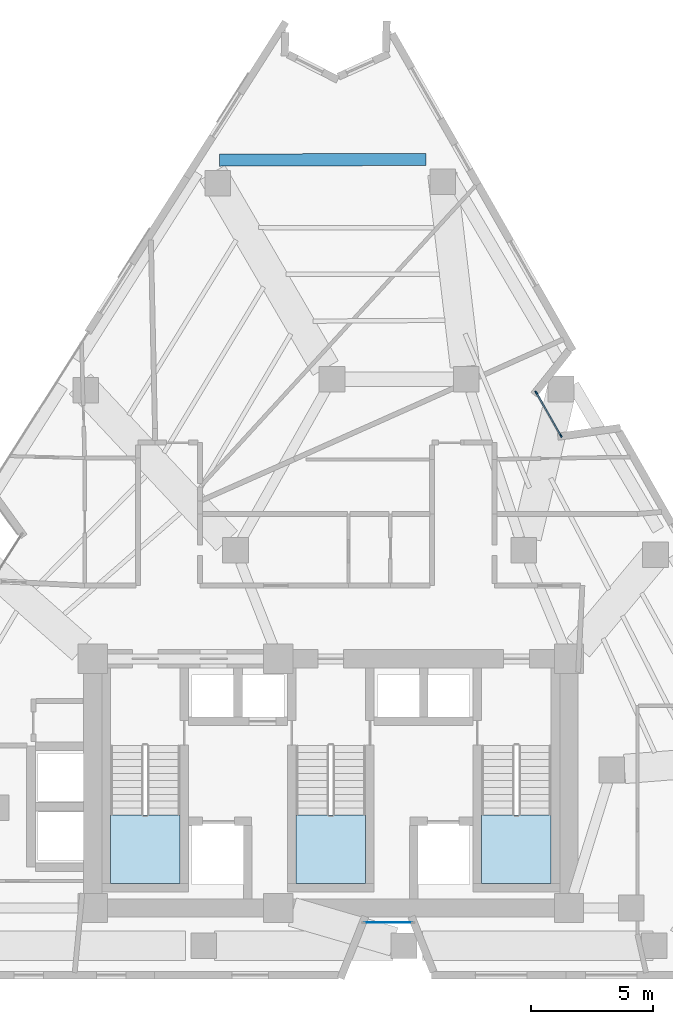
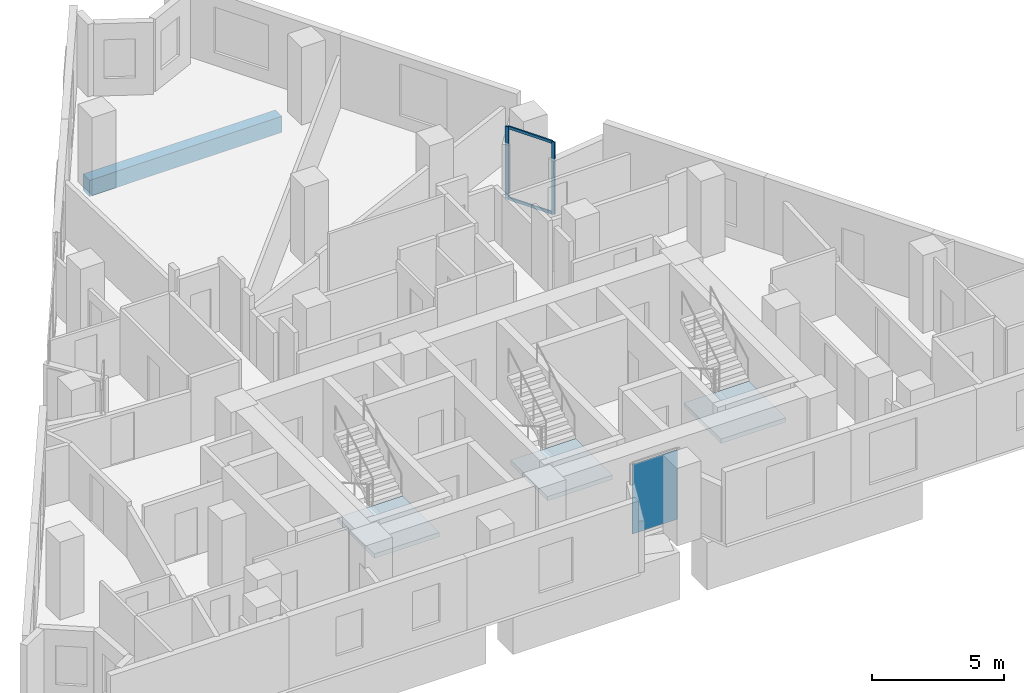
# One storey, part 4 of 12: 4 members, 3 slabs, 1 beam, 1 plate, 5 elements without a shape of their own.
"""IFC4 building model written with IfcOpenShell, lengths in metres."""

from ifc_helpers import new_model, si_unit, direction, frame, origin, origin_2d, place, context, subcontext, project, spatial, polyline, rectangle, outline, extrude, material, layer, layer_set, material_profile, profile_set, type_object, element, aggregate, save


model = new_model("IFC4")

# Units and contexts
model_context = context("Model", 3, precision=1e-05, world=origin(), true_north=direction((0.0, 1.0)))
body_context = subcontext(model_context, "Body", "Model", "MODEL_VIEW")
ifc_project = project(units=[si_unit("LENGTHUNIT", "METRE"), si_unit("AREAUNIT", "SQUARE_METRE"), si_unit("VOLUMEUNIT", "CUBIC_METRE"), si_unit("PLANEANGLEUNIT", "RADIAN"), si_unit("MASSUNIT", "GRAM", prefix="KILO")], contexts=[model_context])

# Site, building, storey
site_placement = place(None, origin())
site = spatial("IfcSite", under=ifc_project, at=site_placement, CompositionType="ELEMENT")
building_placement = place(site_placement, origin())
building = spatial("IfcBuilding", under=site, at=building_placement, Name="Almagre Mirador Tower", CompositionType="ELEMENT")
storey_placement = place(building_placement, frame((0.0, 0.0, 132.0)))
storey = spatial("IfcBuildingStorey", under=building, at=storey_placement, Name="L33", CompositionType="ELEMENT", Elevation=132.0)

# Beam
ifc_material_1 = material(Name="Precast concrete C50/60", Category="concrete")
ifc_material_profile_1 = material_profile(ifc_material_1, rectangle(XDim=0.5, YDim=0.75, at=origin_2d()), Name="RC500X750")
ifc_profile_set_1 = profile_set([ifc_material_profile_1], Name="Precast concrete C50/60")
beam_type = type_object("IfcBeamType", Name="BM-SPN-RC500X750", PredefinedType="SPANDREL", material=ifc_profile_set_1)
beam_placement = place(storey_placement, frame((41.197021484375, 35.197998046875, -0.625), z_axis=(-0.999993795162, -0.003522731665, 0.0), x_axis=(0.003522731665, -0.999993795162, 0.0)))
element("IfcBeam", 1, at=beam_placement, inside=storey, type_object=beam_type, Name="L33 perimeter spandrel beam PC08-PC09", PredefinedType="SPANDREL", context=body_context, shape_type="SweptSolid", body=[
    extrude(rectangle(XDim=0.5, YDim=0.75, at=origin_2d()), origin(), (0.0, 0.0, 1.0), 8.455078125),
])

# Curtain wall, members
ifc_material_2 = material(Name="Black anodized aluminium", Category="aluminium")
ifc_layer_1 = layer(ifc_material_2, 0.169921875)
ifc_layer_set_1 = layer_set([ifc_layer_1], Name="Black anodized aluminium")
curtain_wall_type = type_object("IfcCurtainWallType", Name="CW-CRS-SYS", PredefinedType="NOTDEFINED", material=ifc_layer_set_1)
curtain_wall_1_placement = place(storey_placement, origin())
curtain_wall_1 = element("IfcCurtainWall", 2, at=curtain_wall_1_placement, inside=storey, type_object=curtain_wall_type, Name="L33 vertical crease curtain wall 03", PredefinedType="NOTDEFINED")
ifc_material_3 = material(Name="Black anodized aluminium", Category="aluminium")
ifc_material_profile_2 = material_profile(ifc_material_3, rectangle(XDim=0.06005859375, YDim=0.14990234375, at=origin_2d()), Name="CWM60X150")
ifc_profile_set_2 = profile_set([ifc_material_profile_2], Name="Black anodized aluminium")
member_type_1 = type_object("IfcMemberType", Name="MBR-CWM60X150", PredefinedType="MULLION", material=ifc_profile_set_2)
member_1_placement = place(storey_placement, frame((45.7109375, 25.65185546875, 0.0), z_axis=(0.0, 0.0, 1.0), x_axis=(0.868478613785, 0.495726635757, 0.0)))
member_1 = element("IfcMember", 3, at=member_1_placement, type_object=member_type_1, Name="CW-4 mullion 1", PredefinedType="MULLION", context=body_context, shape_type="SweptSolid", body=[
    extrude(rectangle(XDim=0.06005859375, YDim=0.14990234375, at=origin_2d()), origin(), (0.0, 0.0, 1.0), 3.35009765625),
])
member_2_placement = place(storey_placement, frame((46.717041015625, 23.88916015625, 0.0), z_axis=(0.0, 0.0, 1.0), x_axis=(0.868478613785, 0.495726635757, 0.0)))
member_2 = element("IfcMember", 4, at=member_2_placement, type_object=member_type_1, Name="CW-4 mullion 2", PredefinedType="MULLION", context=body_context, shape_type="SweptSolid", body=[
    extrude(rectangle(XDim=0.06005859375, YDim=0.14990234375, at=origin_2d()), origin(), (0.0, 0.0, 1.0), 3.35009765625),
])
ifc_material_4 = material(Name="Black anodized aluminium", Category="aluminium")
ifc_material_profile_3 = material_profile(ifc_material_4, rectangle(XDim=0.06005859375, YDim=0.1298828125, at=origin_2d()), Name="CWT60X130")
ifc_profile_set_3 = profile_set([ifc_material_profile_3], Name="Black anodized aluminium")
member_type_2 = type_object("IfcMemberType", Name="MBR-CWT60X130", PredefinedType="USERDEFINED", material=ifc_profile_set_3)
member_3_placement = place(storey_placement, frame((45.725830078125, 25.6259765625, 0.030029296875), z_axis=(0.495618319826, -0.868540431444, 0.0), x_axis=(0.868540431444, 0.495618319826, 0.0)))
member_3 = element("IfcMember", 5, at=member_3_placement, type_object=member_type_2, Name="CW-4 transom 1.1", ObjectType="TRANSOM", PredefinedType="USERDEFINED", context=body_context, shape_type="SweptSolid", body=[
    extrude(rectangle(XDim=0.06005859375, YDim=0.1298828125, at=origin_2d()), origin(), (0.0, 0.0, 1.0), 1.969970703125),
])
member_4_placement = place(storey_placement, frame((45.725830078125, 25.6259765625, 3.320068359375), z_axis=(0.495618319826, -0.868540431444, 0.0), x_axis=(0.868540431444, 0.495618319826, 0.0)))
member_4 = element("IfcMember", 6, at=member_4_placement, type_object=member_type_2, Name="CW-4 transom 1.2", ObjectType="TRANSOM", PredefinedType="USERDEFINED", context=body_context, shape_type="SweptSolid", body=[
    extrude(rectangle(XDim=0.06005859375, YDim=0.1298828125, at=origin_2d()), origin(), (0.0, 0.0, 1.0), 1.969970703125),
])
aggregate(curtain_wall_1, [member_1, member_2, member_3, member_4])

# Curtain wall, plate
curtain_wall_2_placement = place(storey_placement, origin())
curtain_wall_2 = element("IfcCurtainWall", 7, at=curtain_wall_2_placement, inside=storey, type_object=curtain_wall_type, Name="L33 vertical crease curtain wall 04", PredefinedType="NOTDEFINED")
ifc_material_5 = material(Name="Dark solar-control laminated hurricane glass", Category="glass")
ifc_layer_2 = layer(ifc_material_5, 0.028076171875)
ifc_layer_set_2 = layer_set([ifc_layer_2], Name="Dark solar-control laminated hurricane glass")
plate_type = type_object("IfcPlateType", Name="PLT-GLZ-28", PredefinedType="CURTAIN_PANEL", material=ifc_layer_set_2)
plate_placement = place(storey_placement, frame((39.656005859375, 3.949951171875, 0.06005859375), z_axis=(0.0, 0.0, 1.0), x_axis=(-1.0, 0.0, 0.0)))
plate = element("IfcPlate", 8, at=plate_placement, type_object=plate_type, Name="CW-4 panel 1.1", PredefinedType="CURTAIN_PANEL", context=body_context, shape_type="SweptSolid", body=[
    extrude(rectangle(XDim=1.969970703125, YDim=0.028076171875, at=origin_2d()), origin(), (0.0, 0.0, 1.0), 3.22998046875),
])
aggregate(curtain_wall_2, [plate])

# Stair, slab
ifc_material_6 = material(Name="Concrete C45/55", Category="concrete")
stair_type = type_object("IfcStairType", Name="STR-DL-3600", PredefinedType="HALF_TURN_STAIR", material=ifc_material_6)
stair_1_placement = place(storey_placement, origin())
stair_1 = element("IfcStair", 9, at=stair_1_placement, inside=storey, type_object=stair_type, Name="L33 Protected exit stair ST-1", PredefinedType="HALF_TURN_STAIR")
ifc_material_7 = material(Name="Concrete C45/55", Category="concrete")
ifc_layer_3 = layer(ifc_material_7, 0.199951171875)
ifc_layer_set_3 = layer_set([ifc_layer_3], Name="Concrete C45/55")
slab_type = type_object("IfcSlabType", Name="SLB-LND-200", PredefinedType="LANDING", material=ifc_layer_set_3)
slab_1_placement = place(storey_placement, frame((0.0, 0.0, 1.60009765625)))
slab_1 = element("IfcSlab", 10, at=slab_1_placement, type_object=slab_type, Name="ST-1 landing 1", PredefinedType="LANDING", context=body_context, shape_type="SweptSolid", body=[
    extrude(outline(polyline([(28.27490234375, 8.35009765625), (28.27490234375, 5.550048828125), (31.125, 5.550048828125), (31.125, 8.35009765625), (28.27490234375, 8.35009765625)])), origin(), (0.0, 0.0, 1.0), 0.199951171875),
])
aggregate(stair_1, [slab_1])

stair_2_placement = place(storey_placement, origin())
stair_2 = element("IfcStair", 11, at=stair_2_placement, inside=storey, type_object=stair_type, Name="L33 Protected exit stair ST-2", PredefinedType="HALF_TURN_STAIR")
slab_2_placement = place(storey_placement, frame((0.0, 0.0, 1.60009765625)))
slab_2 = element("IfcSlab", 12, at=slab_2_placement, type_object=slab_type, Name="ST-2 landing 1", PredefinedType="LANDING", context=body_context, shape_type="SweptSolid", body=[
    extrude(outline(polyline([(35.875, 8.35009765625), (35.875, 5.550048828125), (38.72509765625, 5.550048828125), (38.72509765625, 8.35009765625), (35.875, 8.35009765625)])), origin(), (0.0, 0.0, 1.0), 0.199951171875),
])
aggregate(stair_2, [slab_2])

stair_3_placement = place(storey_placement, origin())
stair_3 = element("IfcStair", 13, at=stair_3_placement, inside=storey, type_object=stair_type, Name="L33 Protected exit stair ST-3", PredefinedType="HALF_TURN_STAIR")
slab_3_placement = place(storey_placement, frame((0.0, 0.0, 1.60009765625)))
slab_3 = element("IfcSlab", 14, at=slab_3_placement, type_object=slab_type, Name="ST-3 landing 1", PredefinedType="LANDING", context=body_context, shape_type="SweptSolid", body=[
    extrude(outline(polyline([(43.47509765625, 8.35009765625), (43.47509765625, 5.550048828125), (46.324951171875, 5.550048828125), (46.324951171875, 8.35009765625), (43.47509765625, 8.35009765625)])), origin(), (0.0, 0.0, 1.0), 0.199951171875),
])
aggregate(stair_3, [slab_3])

save(model, "model.ifc")
